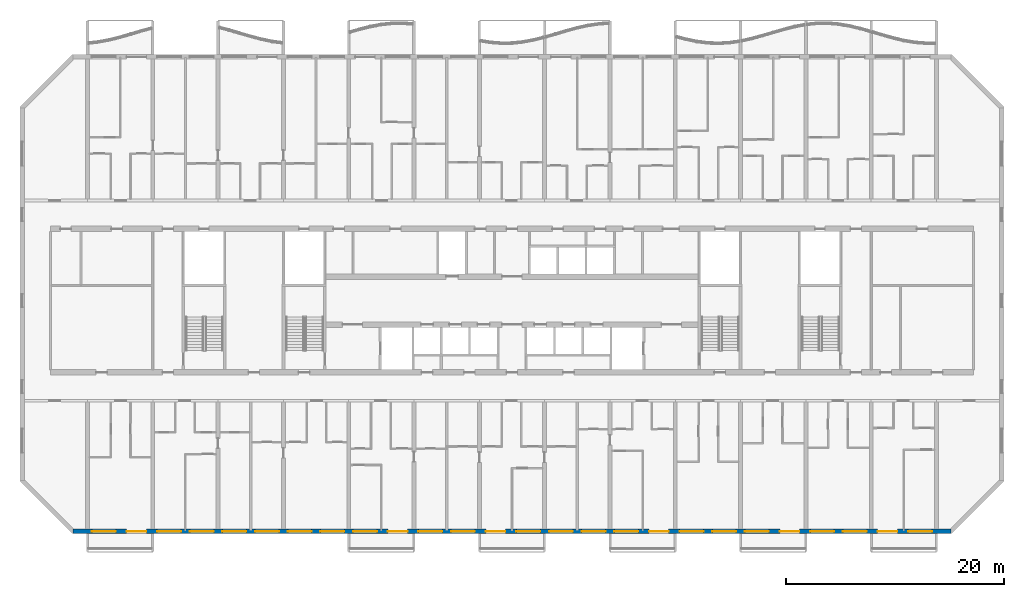
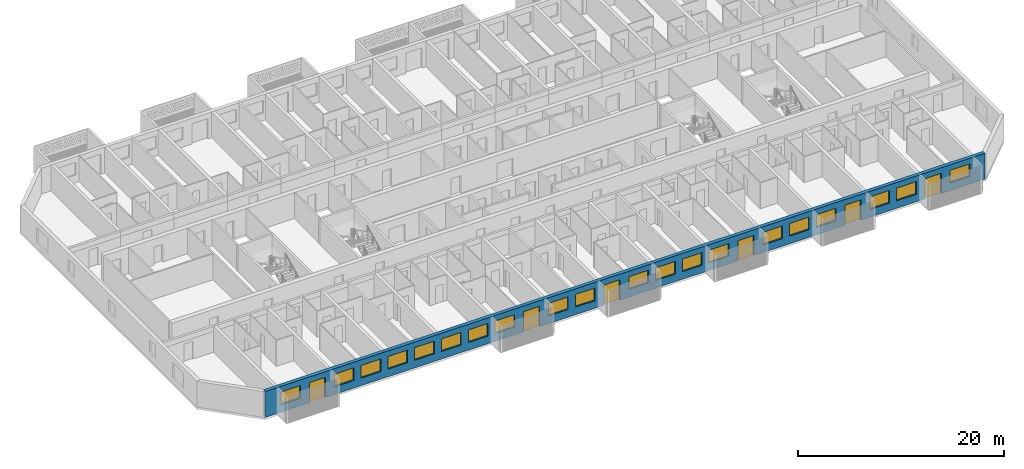
# One storey, part 4 of 27: 20 windows, 6 doors, 1 wall, 26 openings.
"""IFC4 building model written with IfcOpenShell, lengths in metres."""

from ifc_helpers import new_model, si_unit, direction, frame, frame_2d, origin, place, context, subcontext, project, spatial, rectangle, extrude, material, layer, layer_set, type_object, element, fill, save


model = new_model("IFC4")

# Units and contexts
model_context = context("Model", 3, precision=1e-05, world=origin(), true_north=direction((0.0, 1.0)))
body_context = subcontext(model_context, "Body", "Model", "MODEL_VIEW")
ifc_project = project(units=[si_unit("LENGTHUNIT", "METRE"), si_unit("AREAUNIT", "SQUARE_METRE"), si_unit("VOLUMEUNIT", "CUBIC_METRE"), si_unit("PLANEANGLEUNIT", "RADIAN"), si_unit("MASSUNIT", "GRAM", prefix="KILO")], contexts=[model_context])

# Site, building, storey
site_placement = place(None, origin())
site = spatial("IfcSite", under=ifc_project, at=site_placement, CompositionType="ELEMENT")
building_placement = place(site_placement, origin())
building = spatial("IfcBuilding", under=site, at=building_placement, Name="Poui Terraces", CompositionType="ELEMENT")
storey_placement = place(building_placement, frame((0.0, 0.0, 92.699951171875)))
storey = spatial("IfcBuildingStorey", under=building, at=storey_placement, Name="L25", CompositionType="ELEMENT", Elevation=92.699951171875)

# Wall, openings, doors, windows
ifc_material_1 = material(Name="Precast concrete 40 MPa", Category="concrete")
ifc_layer = layer(ifc_material_1, 0.39990234375)
ifc_layer_set = layer_set([ifc_layer], Name="Precast concrete 40 MPa")
wall_type = type_object("IfcWallType", Name="EXTERNAL WALL 400", PredefinedType="STANDARD", material=ifc_layer_set)
wall_placement = place(storey_placement, frame((10.682861328125, 0.0, 0.0), z_axis=(0.0, 0.0, 1.0), x_axis=(1.0, 0.0, 0.0)))
wall = element("IfcWall", 1, at=wall_placement, inside=storey, type_object=wall_type, Name="EXTERNAL WALL S", PredefinedType="STANDARD", context=body_context, shape_type="SweptSolid", body=[
    extrude(rectangle(XDim=80.63427734375, YDim=0.39990234375, at=frame_2d((40.317138671875, 0.0))), origin(), (0.0, 0.0, 1.0), 3.06005859375),
])
opening_1_placement = place(wall_placement, frame((1.71728515625, 0.0, 0.89990234375)))
opening_1 = element("IfcOpeningElement", 2, at=opening_1_placement, cuts=wall, Name="Opening W1", PredefinedType="OPENING", context=body_context, shape_type="SweptSolid", body=[
    extrude(rectangle(XDim=2.199951171875, YDim=1.5, at=frame_2d((1.10009765625, 0.75))), frame((0.0, 0.2099609375, 0.0), z_axis=(0.0, -1.0, 0.0), x_axis=(1.0, 0.0, 0.0)), (0.0, 0.0, 1.0), 0.419921875),
])
opening_2_placement = place(wall_placement, frame((4.917236328125, 0.0, 0.0)))
opening_2 = element("IfcOpeningElement", 3, at=opening_2_placement, cuts=wall, Name="Opening BD1", PredefinedType="OPENING", context=body_context, shape_type="SweptSolid", body=[
    extrude(rectangle(XDim=1.800048828125, YDim=2.39990234375, at=frame_2d((0.89990234375, 1.199951171875))), frame((0.0, 0.2099609375, 0.0), z_axis=(0.0, -1.0, 0.0), x_axis=(1.0, 0.0, 0.0)), (0.0, 0.0, 1.0), 0.419921875),
])
opening_3_placement = place(wall_placement, frame((7.71728515625, 0.0, 0.89990234375)))
opening_3 = element("IfcOpeningElement", 4, at=opening_3_placement, cuts=wall, Name="Opening W1", PredefinedType="OPENING", context=body_context, shape_type="SweptSolid", body=[
    extrude(rectangle(XDim=2.199951171875, YDim=1.5, at=frame_2d((1.10009765625, 0.75))), frame((0.0, 0.2099609375, 0.0), z_axis=(0.0, -1.0, 0.0), x_axis=(1.0, 0.0, 0.0)), (0.0, 0.0, 1.0), 0.419921875),
])
opening_4_placement = place(wall_placement, frame((10.71728515625, 0.0, 0.89990234375)))
opening_4 = element("IfcOpeningElement", 5, at=opening_4_placement, cuts=wall, Name="Opening W1", PredefinedType="OPENING", context=body_context, shape_type="SweptSolid", body=[
    extrude(rectangle(XDim=2.199951171875, YDim=1.5, at=frame_2d((1.10009765625, 0.75))), frame((0.0, 0.2099609375, 0.0), z_axis=(0.0, -1.0, 0.0), x_axis=(1.0, 0.0, 0.0)), (0.0, 0.0, 1.0), 0.419921875),
])
opening_5_placement = place(wall_placement, frame((13.71728515625, 0.0, 0.89990234375)))
opening_5 = element("IfcOpeningElement", 6, at=opening_5_placement, cuts=wall, Name="Opening W1", PredefinedType="OPENING", context=body_context, shape_type="SweptSolid", body=[
    extrude(rectangle(XDim=2.199951171875, YDim=1.5, at=frame_2d((1.10009765625, 0.75))), frame((0.0, 0.2099609375, 0.0), z_axis=(0.0, -1.0, 0.0), x_axis=(1.0, 0.0, 0.0)), (0.0, 0.0, 1.0), 0.419921875),
])
opening_6_placement = place(wall_placement, frame((16.71728515625, 0.0, 0.89990234375)))
opening_6 = element("IfcOpeningElement", 7, at=opening_6_placement, cuts=wall, Name="Opening W1", PredefinedType="OPENING", context=body_context, shape_type="SweptSolid", body=[
    extrude(rectangle(XDim=2.199951171875, YDim=1.5, at=frame_2d((1.10009765625, 0.75))), frame((0.0, 0.2099609375, 0.0), z_axis=(0.0, -1.0, 0.0), x_axis=(1.0, 0.0, 0.0)), (0.0, 0.0, 1.0), 0.419921875),
])
opening_7_placement = place(wall_placement, frame((19.71728515625, 0.0, 0.89990234375)))
opening_7 = element("IfcOpeningElement", 8, at=opening_7_placement, cuts=wall, Name="Opening W1", PredefinedType="OPENING", context=body_context, shape_type="SweptSolid", body=[
    extrude(rectangle(XDim=2.199951171875, YDim=1.5, at=frame_2d((1.10009765625, 0.75))), frame((0.0, 0.2099609375, 0.0), z_axis=(0.0, -1.0, 0.0), x_axis=(1.0, 0.0, 0.0)), (0.0, 0.0, 1.0), 0.419921875),
])
opening_8_placement = place(wall_placement, frame((22.71728515625, 0.0, 0.89990234375)))
opening_8 = element("IfcOpeningElement", 9, at=opening_8_placement, cuts=wall, Name="Opening W1", PredefinedType="OPENING", context=body_context, shape_type="SweptSolid", body=[
    extrude(rectangle(XDim=2.199951171875, YDim=1.5, at=frame_2d((1.10009765625, 0.75))), frame((0.0, 0.2099609375, 0.0), z_axis=(0.0, -1.0, 0.0), x_axis=(1.0, 0.0, 0.0)), (0.0, 0.0, 1.0), 0.419921875),
])
opening_9_placement = place(wall_placement, frame((25.71728515625, 0.0, 0.89990234375)))
opening_9 = element("IfcOpeningElement", 10, at=opening_9_placement, cuts=wall, Name="Opening W1", PredefinedType="OPENING", context=body_context, shape_type="SweptSolid", body=[
    extrude(rectangle(XDim=2.199951171875, YDim=1.5, at=frame_2d((1.10009765625, 0.75))), frame((0.0, 0.2099609375, 0.0), z_axis=(0.0, -1.0, 0.0), x_axis=(1.0, 0.0, 0.0)), (0.0, 0.0, 1.0), 0.419921875),
])
opening_10_placement = place(wall_placement, frame((28.917236328125, 0.0, 0.0)))
opening_10 = element("IfcOpeningElement", 11, at=opening_10_placement, cuts=wall, Name="Opening BD1", PredefinedType="OPENING", context=body_context, shape_type="SweptSolid", body=[
    extrude(rectangle(XDim=1.800048828125, YDim=2.39990234375, at=frame_2d((0.89990234375, 1.199951171875))), frame((0.0, 0.2099609375, 0.0), z_axis=(0.0, -1.0, 0.0), x_axis=(1.0, 0.0, 0.0)), (0.0, 0.0, 1.0), 0.419921875),
])
opening_11_placement = place(wall_placement, frame((31.71728515625, 0.0, 0.89990234375)))
opening_11 = element("IfcOpeningElement", 12, at=opening_11_placement, cuts=wall, Name="Opening W1", PredefinedType="OPENING", context=body_context, shape_type="SweptSolid", body=[
    extrude(rectangle(XDim=2.199951171875, YDim=1.5, at=frame_2d((1.10009765625, 0.75))), frame((0.0, 0.2099609375, 0.0), z_axis=(0.0, -1.0, 0.0), x_axis=(1.0, 0.0, 0.0)), (0.0, 0.0, 1.0), 0.419921875),
])
opening_12_placement = place(wall_placement, frame((34.71728515625, 0.0, 0.89990234375)))
opening_12 = element("IfcOpeningElement", 13, at=opening_12_placement, cuts=wall, Name="Opening W1", PredefinedType="OPENING", context=body_context, shape_type="SweptSolid", body=[
    extrude(rectangle(XDim=2.199951171875, YDim=1.5, at=frame_2d((1.10009765625, 0.75))), frame((0.0, 0.2099609375, 0.0), z_axis=(0.0, -1.0, 0.0), x_axis=(1.0, 0.0, 0.0)), (0.0, 0.0, 1.0), 0.419921875),
])
opening_13_placement = place(wall_placement, frame((37.917236328125, 0.0, 0.0)))
opening_13 = element("IfcOpeningElement", 14, at=opening_13_placement, cuts=wall, Name="Opening BD1", PredefinedType="OPENING", context=body_context, shape_type="SweptSolid", body=[
    extrude(rectangle(XDim=1.800048828125, YDim=2.39990234375, at=frame_2d((0.89990234375, 1.199951171875))), frame((0.0, 0.2099609375, 0.0), z_axis=(0.0, -1.0, 0.0), x_axis=(1.0, 0.0, 0.0)), (0.0, 0.0, 1.0), 0.419921875),
])
opening_14_placement = place(wall_placement, frame((40.71728515625, 0.0, 0.89990234375)))
opening_14 = element("IfcOpeningElement", 15, at=opening_14_placement, cuts=wall, Name="Opening W1", PredefinedType="OPENING", context=body_context, shape_type="SweptSolid", body=[
    extrude(rectangle(XDim=2.199951171875, YDim=1.5, at=frame_2d((1.10009765625, 0.75))), frame((0.0, 0.2099609375, 0.0), z_axis=(0.0, -1.0, 0.0), x_axis=(1.0, 0.0, 0.0)), (0.0, 0.0, 1.0), 0.419921875),
])
opening_15_placement = place(wall_placement, frame((43.71728515625, 0.0, 0.89990234375)))
opening_15 = element("IfcOpeningElement", 16, at=opening_15_placement, cuts=wall, Name="Opening W1", PredefinedType="OPENING", context=body_context, shape_type="SweptSolid", body=[
    extrude(rectangle(XDim=2.199951171875, YDim=1.5, at=frame_2d((1.10009765625, 0.75))), frame((0.0, 0.2099609375, 0.0), z_axis=(0.0, -1.0, 0.0), x_axis=(1.0, 0.0, 0.0)), (0.0, 0.0, 1.0), 0.419921875),
])
opening_16_placement = place(wall_placement, frame((46.71728515625, 0.0, 0.89990234375)))
opening_16 = element("IfcOpeningElement", 17, at=opening_16_placement, cuts=wall, Name="Opening W1", PredefinedType="OPENING", context=body_context, shape_type="SweptSolid", body=[
    extrude(rectangle(XDim=2.199951171875, YDim=1.5, at=frame_2d((1.10009765625, 0.75))), frame((0.0, 0.2099609375, 0.0), z_axis=(0.0, -1.0, 0.0), x_axis=(1.0, 0.0, 0.0)), (0.0, 0.0, 1.0), 0.419921875),
])
opening_17_placement = place(wall_placement, frame((49.71728515625, 0.0, 0.89990234375)))
opening_17 = element("IfcOpeningElement", 18, at=opening_17_placement, cuts=wall, Name="Opening W1", PredefinedType="OPENING", context=body_context, shape_type="SweptSolid", body=[
    extrude(rectangle(XDim=2.199951171875, YDim=1.5, at=frame_2d((1.10009765625, 0.75))), frame((0.0, 0.2099609375, 0.0), z_axis=(0.0, -1.0, 0.0), x_axis=(1.0, 0.0, 0.0)), (0.0, 0.0, 1.0), 0.419921875),
])
opening_18_placement = place(wall_placement, frame((52.917236328125, 0.0, 0.0)))
opening_18 = element("IfcOpeningElement", 19, at=opening_18_placement, cuts=wall, Name="Opening BD1", PredefinedType="OPENING", context=body_context, shape_type="SweptSolid", body=[
    extrude(rectangle(XDim=1.800048828125, YDim=2.39990234375, at=frame_2d((0.89990234375, 1.199951171875))), frame((0.0, 0.2099609375, 0.0), z_axis=(0.0, -1.0, 0.0), x_axis=(1.0, 0.0, 0.0)), (0.0, 0.0, 1.0), 0.419921875),
])
opening_19_placement = place(wall_placement, frame((55.71728515625, 0.0, 0.89990234375)))
opening_19 = element("IfcOpeningElement", 20, at=opening_19_placement, cuts=wall, Name="Opening W1", PredefinedType="OPENING", context=body_context, shape_type="SweptSolid", body=[
    extrude(rectangle(XDim=2.199951171875, YDim=1.5, at=frame_2d((1.10009765625, 0.75))), frame((0.0, 0.2099609375, 0.0), z_axis=(0.0, -1.0, 0.0), x_axis=(1.0, 0.0, 0.0)), (0.0, 0.0, 1.0), 0.419921875),
])
opening_20_placement = place(wall_placement, frame((58.71728515625, 0.0, 0.89990234375)))
opening_20 = element("IfcOpeningElement", 21, at=opening_20_placement, cuts=wall, Name="Opening W1", PredefinedType="OPENING", context=body_context, shape_type="SweptSolid", body=[
    extrude(rectangle(XDim=2.199951171875, YDim=1.5, at=frame_2d((1.10009765625, 0.75))), frame((0.0, 0.2099609375, 0.0), z_axis=(0.0, -1.0, 0.0), x_axis=(1.0, 0.0, 0.0)), (0.0, 0.0, 1.0), 0.419921875),
])
opening_21_placement = place(wall_placement, frame((61.71728515625, 0.0, 0.89990234375)))
opening_21 = element("IfcOpeningElement", 22, at=opening_21_placement, cuts=wall, Name="Opening W1", PredefinedType="OPENING", context=body_context, shape_type="SweptSolid", body=[
    extrude(rectangle(XDim=2.199951171875, YDim=1.5, at=frame_2d((1.10009765625, 0.75))), frame((0.0, 0.2099609375, 0.0), z_axis=(0.0, -1.0, 0.0), x_axis=(1.0, 0.0, 0.0)), (0.0, 0.0, 1.0), 0.419921875),
])
opening_22_placement = place(wall_placement, frame((64.917236328125, 0.0, 0.0)))
opening_22 = element("IfcOpeningElement", 23, at=opening_22_placement, cuts=wall, Name="Opening BD1", PredefinedType="OPENING", context=body_context, shape_type="SweptSolid", body=[
    extrude(rectangle(XDim=1.800048828125, YDim=2.39990234375, at=frame_2d((0.89990234375, 1.199951171875))), frame((0.0, 0.2099609375, 0.0), z_axis=(0.0, -1.0, 0.0), x_axis=(1.0, 0.0, 0.0)), (0.0, 0.0, 1.0), 0.419921875),
])
opening_23_placement = place(wall_placement, frame((67.71728515625, 0.0, 0.89990234375)))
opening_23 = element("IfcOpeningElement", 24, at=opening_23_placement, cuts=wall, Name="Opening W1", PredefinedType="OPENING", context=body_context, shape_type="SweptSolid", body=[
    extrude(rectangle(XDim=2.199951171875, YDim=1.5, at=frame_2d((1.10009765625, 0.75))), frame((0.0, 0.2099609375, 0.0), z_axis=(0.0, -1.0, 0.0), x_axis=(1.0, 0.0, 0.0)), (0.0, 0.0, 1.0), 0.419921875),
])
opening_24_placement = place(wall_placement, frame((70.71728515625, 0.0, 0.89990234375)))
opening_24 = element("IfcOpeningElement", 25, at=opening_24_placement, cuts=wall, Name="Opening W1", PredefinedType="OPENING", context=body_context, shape_type="SweptSolid", body=[
    extrude(rectangle(XDim=2.199951171875, YDim=1.5, at=frame_2d((1.10009765625, 0.75))), frame((0.0, 0.2099609375, 0.0), z_axis=(0.0, -1.0, 0.0), x_axis=(1.0, 0.0, 0.0)), (0.0, 0.0, 1.0), 0.419921875),
])
opening_25_placement = place(wall_placement, frame((73.917236328125, 0.0, 0.0)))
opening_25 = element("IfcOpeningElement", 26, at=opening_25_placement, cuts=wall, Name="Opening BD1", PredefinedType="OPENING", context=body_context, shape_type="SweptSolid", body=[
    extrude(rectangle(XDim=1.800048828125, YDim=2.39990234375, at=frame_2d((0.89990234375, 1.199951171875))), frame((0.0, 0.2099609375, 0.0), z_axis=(0.0, -1.0, 0.0), x_axis=(1.0, 0.0, 0.0)), (0.0, 0.0, 1.0), 0.419921875),
])
opening_26_placement = place(wall_placement, frame((76.71728515625, 0.0, 0.89990234375)))
opening_26 = element("IfcOpeningElement", 27, at=opening_26_placement, cuts=wall, Name="Opening W1", PredefinedType="OPENING", context=body_context, shape_type="SweptSolid", body=[
    extrude(rectangle(XDim=2.199951171875, YDim=1.5, at=frame_2d((1.10009765625, 0.75))), frame((0.0, 0.2099609375, 0.0), z_axis=(0.0, -1.0, 0.0), x_axis=(1.0, 0.0, 0.0)), (0.0, 0.0, 1.0), 0.419921875),
])
ifc_material_2 = material(Name="Clear glass in aluminium frame", Category="aluminium")
door_type = type_object("IfcDoorType", Name="BALCONY DOOR 1800X2400", OperationType="DOUBLE_DOOR_SLIDING", PredefinedType="DOOR", material=ifc_material_2)
door_1_placement = place(opening_2_placement, origin())
door_1 = element("IfcDoor", 28, at=door_1_placement, inside=storey, type_object=door_type, Name="BD1 BALCONY DOOR", OperationType="DOUBLE_DOOR_SLIDING", OverallHeight=2.39990234375, OverallWidth=1.800048828125, PredefinedType="DOOR", context=body_context, shape_type="SweptSolid", body=[
    extrude(rectangle(XDim=1.800048828125, YDim=2.39990234375, at=frame_2d((0.89990234375, 1.199951171875))), frame((0.0, 0.02490234375, 0.0), z_axis=(0.0, -1.0, 0.0), x_axis=(1.0, 0.0, 0.0)), (0.0, 0.0, 1.0), 0.050048828125),
])
fill(opening_2, door_1)
door_2_placement = place(opening_10_placement, origin())
door_2 = element("IfcDoor", 29, at=door_2_placement, inside=storey, type_object=door_type, Name="BD1 BALCONY DOOR", OperationType="DOUBLE_DOOR_SLIDING", OverallHeight=2.39990234375, OverallWidth=1.800048828125, PredefinedType="DOOR", context=body_context, shape_type="SweptSolid", body=[
    extrude(rectangle(XDim=1.800048828125, YDim=2.39990234375, at=frame_2d((0.89990234375, 1.199951171875))), frame((0.0, 0.02490234375, 0.0), z_axis=(0.0, -1.0, 0.0), x_axis=(1.0, 0.0, 0.0)), (0.0, 0.0, 1.0), 0.050048828125),
])
fill(opening_10, door_2)
door_3_placement = place(opening_13_placement, origin())
door_3 = element("IfcDoor", 30, at=door_3_placement, inside=storey, type_object=door_type, Name="BD1 BALCONY DOOR", OperationType="DOUBLE_DOOR_SLIDING", OverallHeight=2.39990234375, OverallWidth=1.800048828125, PredefinedType="DOOR", context=body_context, shape_type="SweptSolid", body=[
    extrude(rectangle(XDim=1.800048828125, YDim=2.39990234375, at=frame_2d((0.89990234375, 1.199951171875))), frame((0.0, 0.02490234375, 0.0), z_axis=(0.0, -1.0, 0.0), x_axis=(1.0, 0.0, 0.0)), (0.0, 0.0, 1.0), 0.050048828125),
])
fill(opening_13, door_3)
door_4_placement = place(opening_18_placement, origin())
door_4 = element("IfcDoor", 31, at=door_4_placement, inside=storey, type_object=door_type, Name="BD1 BALCONY DOOR", OperationType="DOUBLE_DOOR_SLIDING", OverallHeight=2.39990234375, OverallWidth=1.800048828125, PredefinedType="DOOR", context=body_context, shape_type="SweptSolid", body=[
    extrude(rectangle(XDim=1.800048828125, YDim=2.39990234375, at=frame_2d((0.89990234375, 1.199951171875))), frame((0.0, 0.02490234375, 0.0), z_axis=(0.0, -1.0, 0.0), x_axis=(1.0, 0.0, 0.0)), (0.0, 0.0, 1.0), 0.050048828125),
])
fill(opening_18, door_4)
door_5_placement = place(opening_22_placement, origin())
door_5 = element("IfcDoor", 32, at=door_5_placement, inside=storey, type_object=door_type, Name="BD1 BALCONY DOOR", OperationType="DOUBLE_DOOR_SLIDING", OverallHeight=2.39990234375, OverallWidth=1.800048828125, PredefinedType="DOOR", context=body_context, shape_type="SweptSolid", body=[
    extrude(rectangle(XDim=1.800048828125, YDim=2.39990234375, at=frame_2d((0.89990234375, 1.199951171875))), frame((0.0, 0.02490234375, 0.0), z_axis=(0.0, -1.0, 0.0), x_axis=(1.0, 0.0, 0.0)), (0.0, 0.0, 1.0), 0.050048828125),
])
fill(opening_22, door_5)
door_6_placement = place(opening_25_placement, origin())
door_6 = element("IfcDoor", 33, at=door_6_placement, inside=storey, type_object=door_type, Name="BD1 BALCONY DOOR", OperationType="DOUBLE_DOOR_SLIDING", OverallHeight=2.39990234375, OverallWidth=1.800048828125, PredefinedType="DOOR", context=body_context, shape_type="SweptSolid", body=[
    extrude(rectangle(XDim=1.800048828125, YDim=2.39990234375, at=frame_2d((0.89990234375, 1.199951171875))), frame((0.0, 0.02490234375, 0.0), z_axis=(0.0, -1.0, 0.0), x_axis=(1.0, 0.0, 0.0)), (0.0, 0.0, 1.0), 0.050048828125),
])
fill(opening_25, door_6)
window_type = type_object("IfcWindowType", Name="WINDOW 2200X1500", PartitioningType="DOUBLE_PANEL_HORIZONTAL", PredefinedType="WINDOW", material=ifc_material_2)
window_1_placement = place(opening_1_placement, origin())
window_1 = element("IfcWindow", 34, at=window_1_placement, inside=storey, type_object=window_type, Name="W1 WINDOW", OverallHeight=1.5, OverallWidth=2.199951171875, PartitioningType="DOUBLE_PANEL_HORIZONTAL", PredefinedType="WINDOW", context=body_context, shape_type="SweptSolid", body=[
    extrude(rectangle(XDim=2.199951171875, YDim=1.5, at=frame_2d((1.10009765625, 0.75))), frame((0.0, 0.030029296875, 0.0), z_axis=(0.0, -1.0, 0.0), x_axis=(1.0, 0.0, 0.0)), (0.0, 0.0, 1.0), 0.06005859375),
])
fill(opening_1, window_1)
window_2_placement = place(opening_3_placement, origin())
window_2 = element("IfcWindow", 35, at=window_2_placement, inside=storey, type_object=window_type, Name="W1 WINDOW", OverallHeight=1.5, OverallWidth=2.199951171875, PartitioningType="DOUBLE_PANEL_HORIZONTAL", PredefinedType="WINDOW", context=body_context, shape_type="SweptSolid", body=[
    extrude(rectangle(XDim=2.199951171875, YDim=1.5, at=frame_2d((1.10009765625, 0.75))), frame((0.0, 0.030029296875, 0.0), z_axis=(0.0, -1.0, 0.0), x_axis=(1.0, 0.0, 0.0)), (0.0, 0.0, 1.0), 0.06005859375),
])
fill(opening_3, window_2)
window_3_placement = place(opening_4_placement, origin())
window_3 = element("IfcWindow", 36, at=window_3_placement, inside=storey, type_object=window_type, Name="W1 WINDOW", OverallHeight=1.5, OverallWidth=2.199951171875, PartitioningType="DOUBLE_PANEL_HORIZONTAL", PredefinedType="WINDOW", context=body_context, shape_type="SweptSolid", body=[
    extrude(rectangle(XDim=2.199951171875, YDim=1.5, at=frame_2d((1.10009765625, 0.75))), frame((0.0, 0.030029296875, 0.0), z_axis=(0.0, -1.0, 0.0), x_axis=(1.0, 0.0, 0.0)), (0.0, 0.0, 1.0), 0.06005859375),
])
fill(opening_4, window_3)
window_4_placement = place(opening_5_placement, origin())
window_4 = element("IfcWindow", 37, at=window_4_placement, inside=storey, type_object=window_type, Name="W1 WINDOW", OverallHeight=1.5, OverallWidth=2.199951171875, PartitioningType="DOUBLE_PANEL_HORIZONTAL", PredefinedType="WINDOW", context=body_context, shape_type="SweptSolid", body=[
    extrude(rectangle(XDim=2.199951171875, YDim=1.5, at=frame_2d((1.10009765625, 0.75))), frame((0.0, 0.030029296875, 0.0), z_axis=(0.0, -1.0, 0.0), x_axis=(1.0, 0.0, 0.0)), (0.0, 0.0, 1.0), 0.06005859375),
])
fill(opening_5, window_4)
window_5_placement = place(opening_6_placement, origin())
window_5 = element("IfcWindow", 38, at=window_5_placement, inside=storey, type_object=window_type, Name="W1 WINDOW", OverallHeight=1.5, OverallWidth=2.199951171875, PartitioningType="DOUBLE_PANEL_HORIZONTAL", PredefinedType="WINDOW", context=body_context, shape_type="SweptSolid", body=[
    extrude(rectangle(XDim=2.199951171875, YDim=1.5, at=frame_2d((1.10009765625, 0.75))), frame((0.0, 0.030029296875, 0.0), z_axis=(0.0, -1.0, 0.0), x_axis=(1.0, 0.0, 0.0)), (0.0, 0.0, 1.0), 0.06005859375),
])
fill(opening_6, window_5)
window_6_placement = place(opening_7_placement, origin())
window_6 = element("IfcWindow", 39, at=window_6_placement, inside=storey, type_object=window_type, Name="W1 WINDOW", OverallHeight=1.5, OverallWidth=2.199951171875, PartitioningType="DOUBLE_PANEL_HORIZONTAL", PredefinedType="WINDOW", context=body_context, shape_type="SweptSolid", body=[
    extrude(rectangle(XDim=2.199951171875, YDim=1.5, at=frame_2d((1.10009765625, 0.75))), frame((0.0, 0.030029296875, 0.0), z_axis=(0.0, -1.0, 0.0), x_axis=(1.0, 0.0, 0.0)), (0.0, 0.0, 1.0), 0.06005859375),
])
fill(opening_7, window_6)
window_7_placement = place(opening_8_placement, origin())
window_7 = element("IfcWindow", 40, at=window_7_placement, inside=storey, type_object=window_type, Name="W1 WINDOW", OverallHeight=1.5, OverallWidth=2.199951171875, PartitioningType="DOUBLE_PANEL_HORIZONTAL", PredefinedType="WINDOW", context=body_context, shape_type="SweptSolid", body=[
    extrude(rectangle(XDim=2.199951171875, YDim=1.5, at=frame_2d((1.10009765625, 0.75))), frame((0.0, 0.030029296875, 0.0), z_axis=(0.0, -1.0, 0.0), x_axis=(1.0, 0.0, 0.0)), (0.0, 0.0, 1.0), 0.06005859375),
])
fill(opening_8, window_7)
window_8_placement = place(opening_9_placement, origin())
window_8 = element("IfcWindow", 41, at=window_8_placement, inside=storey, type_object=window_type, Name="W1 WINDOW", OverallHeight=1.5, OverallWidth=2.199951171875, PartitioningType="DOUBLE_PANEL_HORIZONTAL", PredefinedType="WINDOW", context=body_context, shape_type="SweptSolid", body=[
    extrude(rectangle(XDim=2.199951171875, YDim=1.5, at=frame_2d((1.10009765625, 0.75))), frame((0.0, 0.030029296875, 0.0), z_axis=(0.0, -1.0, 0.0), x_axis=(1.0, 0.0, 0.0)), (0.0, 0.0, 1.0), 0.06005859375),
])
fill(opening_9, window_8)
window_9_placement = place(opening_11_placement, origin())
window_9 = element("IfcWindow", 42, at=window_9_placement, inside=storey, type_object=window_type, Name="W1 WINDOW", OverallHeight=1.5, OverallWidth=2.199951171875, PartitioningType="DOUBLE_PANEL_HORIZONTAL", PredefinedType="WINDOW", context=body_context, shape_type="SweptSolid", body=[
    extrude(rectangle(XDim=2.199951171875, YDim=1.5, at=frame_2d((1.10009765625, 0.75))), frame((0.0, 0.030029296875, 0.0), z_axis=(0.0, -1.0, 0.0), x_axis=(1.0, 0.0, 0.0)), (0.0, 0.0, 1.0), 0.06005859375),
])
fill(opening_11, window_9)
window_10_placement = place(opening_12_placement, origin())
window_10 = element("IfcWindow", 43, at=window_10_placement, inside=storey, type_object=window_type, Name="W1 WINDOW", OverallHeight=1.5, OverallWidth=2.199951171875, PartitioningType="DOUBLE_PANEL_HORIZONTAL", PredefinedType="WINDOW", context=body_context, shape_type="SweptSolid", body=[
    extrude(rectangle(XDim=2.199951171875, YDim=1.5, at=frame_2d((1.10009765625, 0.75))), frame((0.0, 0.030029296875, 0.0), z_axis=(0.0, -1.0, 0.0), x_axis=(1.0, 0.0, 0.0)), (0.0, 0.0, 1.0), 0.06005859375),
])
fill(opening_12, window_10)
window_11_placement = place(opening_14_placement, origin())
window_11 = element("IfcWindow", 44, at=window_11_placement, inside=storey, type_object=window_type, Name="W1 WINDOW", OverallHeight=1.5, OverallWidth=2.199951171875, PartitioningType="DOUBLE_PANEL_HORIZONTAL", PredefinedType="WINDOW", context=body_context, shape_type="SweptSolid", body=[
    extrude(rectangle(XDim=2.199951171875, YDim=1.5, at=frame_2d((1.10009765625, 0.75))), frame((0.0, 0.030029296875, 0.0), z_axis=(0.0, -1.0, 0.0), x_axis=(1.0, 0.0, 0.0)), (0.0, 0.0, 1.0), 0.06005859375),
])
fill(opening_14, window_11)
window_12_placement = place(opening_15_placement, origin())
window_12 = element("IfcWindow", 45, at=window_12_placement, inside=storey, type_object=window_type, Name="W1 WINDOW", OverallHeight=1.5, OverallWidth=2.199951171875, PartitioningType="DOUBLE_PANEL_HORIZONTAL", PredefinedType="WINDOW", context=body_context, shape_type="SweptSolid", body=[
    extrude(rectangle(XDim=2.199951171875, YDim=1.5, at=frame_2d((1.10009765625, 0.75))), frame((0.0, 0.030029296875, 0.0), z_axis=(0.0, -1.0, 0.0), x_axis=(1.0, 0.0, 0.0)), (0.0, 0.0, 1.0), 0.06005859375),
])
fill(opening_15, window_12)
window_13_placement = place(opening_16_placement, origin())
window_13 = element("IfcWindow", 46, at=window_13_placement, inside=storey, type_object=window_type, Name="W1 WINDOW", OverallHeight=1.5, OverallWidth=2.199951171875, PartitioningType="DOUBLE_PANEL_HORIZONTAL", PredefinedType="WINDOW", context=body_context, shape_type="SweptSolid", body=[
    extrude(rectangle(XDim=2.199951171875, YDim=1.5, at=frame_2d((1.10009765625, 0.75))), frame((0.0, 0.030029296875, 0.0), z_axis=(0.0, -1.0, 0.0), x_axis=(1.0, 0.0, 0.0)), (0.0, 0.0, 1.0), 0.06005859375),
])
fill(opening_16, window_13)
window_14_placement = place(opening_17_placement, origin())
window_14 = element("IfcWindow", 47, at=window_14_placement, inside=storey, type_object=window_type, Name="W1 WINDOW", OverallHeight=1.5, OverallWidth=2.199951171875, PartitioningType="DOUBLE_PANEL_HORIZONTAL", PredefinedType="WINDOW", context=body_context, shape_type="SweptSolid", body=[
    extrude(rectangle(XDim=2.199951171875, YDim=1.5, at=frame_2d((1.10009765625, 0.75))), frame((0.0, 0.030029296875, 0.0), z_axis=(0.0, -1.0, 0.0), x_axis=(1.0, 0.0, 0.0)), (0.0, 0.0, 1.0), 0.06005859375),
])
fill(opening_17, window_14)
window_15_placement = place(opening_19_placement, origin())
window_15 = element("IfcWindow", 48, at=window_15_placement, inside=storey, type_object=window_type, Name="W1 WINDOW", OverallHeight=1.5, OverallWidth=2.199951171875, PartitioningType="DOUBLE_PANEL_HORIZONTAL", PredefinedType="WINDOW", context=body_context, shape_type="SweptSolid", body=[
    extrude(rectangle(XDim=2.199951171875, YDim=1.5, at=frame_2d((1.10009765625, 0.75))), frame((0.0, 0.030029296875, 0.0), z_axis=(0.0, -1.0, 0.0), x_axis=(1.0, 0.0, 0.0)), (0.0, 0.0, 1.0), 0.06005859375),
])
fill(opening_19, window_15)
window_16_placement = place(opening_20_placement, origin())
window_16 = element("IfcWindow", 49, at=window_16_placement, inside=storey, type_object=window_type, Name="W1 WINDOW", OverallHeight=1.5, OverallWidth=2.199951171875, PartitioningType="DOUBLE_PANEL_HORIZONTAL", PredefinedType="WINDOW", context=body_context, shape_type="SweptSolid", body=[
    extrude(rectangle(XDim=2.199951171875, YDim=1.5, at=frame_2d((1.10009765625, 0.75))), frame((0.0, 0.030029296875, 0.0), z_axis=(0.0, -1.0, 0.0), x_axis=(1.0, 0.0, 0.0)), (0.0, 0.0, 1.0), 0.06005859375),
])
fill(opening_20, window_16)
window_17_placement = place(opening_21_placement, origin())
window_17 = element("IfcWindow", 50, at=window_17_placement, inside=storey, type_object=window_type, Name="W1 WINDOW", OverallHeight=1.5, OverallWidth=2.199951171875, PartitioningType="DOUBLE_PANEL_HORIZONTAL", PredefinedType="WINDOW", context=body_context, shape_type="SweptSolid", body=[
    extrude(rectangle(XDim=2.199951171875, YDim=1.5, at=frame_2d((1.10009765625, 0.75))), frame((0.0, 0.030029296875, 0.0), z_axis=(0.0, -1.0, 0.0), x_axis=(1.0, 0.0, 0.0)), (0.0, 0.0, 1.0), 0.06005859375),
])
fill(opening_21, window_17)
window_18_placement = place(opening_23_placement, origin())
window_18 = element("IfcWindow", 51, at=window_18_placement, inside=storey, type_object=window_type, Name="W1 WINDOW", OverallHeight=1.5, OverallWidth=2.199951171875, PartitioningType="DOUBLE_PANEL_HORIZONTAL", PredefinedType="WINDOW", context=body_context, shape_type="SweptSolid", body=[
    extrude(rectangle(XDim=2.199951171875, YDim=1.5, at=frame_2d((1.10009765625, 0.75))), frame((0.0, 0.030029296875, 0.0), z_axis=(0.0, -1.0, 0.0), x_axis=(1.0, 0.0, 0.0)), (0.0, 0.0, 1.0), 0.06005859375),
])
fill(opening_23, window_18)
window_19_placement = place(opening_24_placement, origin())
window_19 = element("IfcWindow", 52, at=window_19_placement, inside=storey, type_object=window_type, Name="W1 WINDOW", OverallHeight=1.5, OverallWidth=2.199951171875, PartitioningType="DOUBLE_PANEL_HORIZONTAL", PredefinedType="WINDOW", context=body_context, shape_type="SweptSolid", body=[
    extrude(rectangle(XDim=2.199951171875, YDim=1.5, at=frame_2d((1.10009765625, 0.75))), frame((0.0, 0.030029296875, 0.0), z_axis=(0.0, -1.0, 0.0), x_axis=(1.0, 0.0, 0.0)), (0.0, 0.0, 1.0), 0.06005859375),
])
fill(opening_24, window_19)
window_20_placement = place(opening_26_placement, origin())
window_20 = element("IfcWindow", 53, at=window_20_placement, inside=storey, type_object=window_type, Name="W1 WINDOW", OverallHeight=1.5, OverallWidth=2.199951171875, PartitioningType="DOUBLE_PANEL_HORIZONTAL", PredefinedType="WINDOW", context=body_context, shape_type="SweptSolid", body=[
    extrude(rectangle(XDim=2.199951171875, YDim=1.5, at=frame_2d((1.10009765625, 0.75))), frame((0.0, 0.030029296875, 0.0), z_axis=(0.0, -1.0, 0.0), x_axis=(1.0, 0.0, 0.0)), (0.0, 0.0, 1.0), 0.06005859375),
])
fill(opening_26, window_20)

save(model, "model.ifc")
